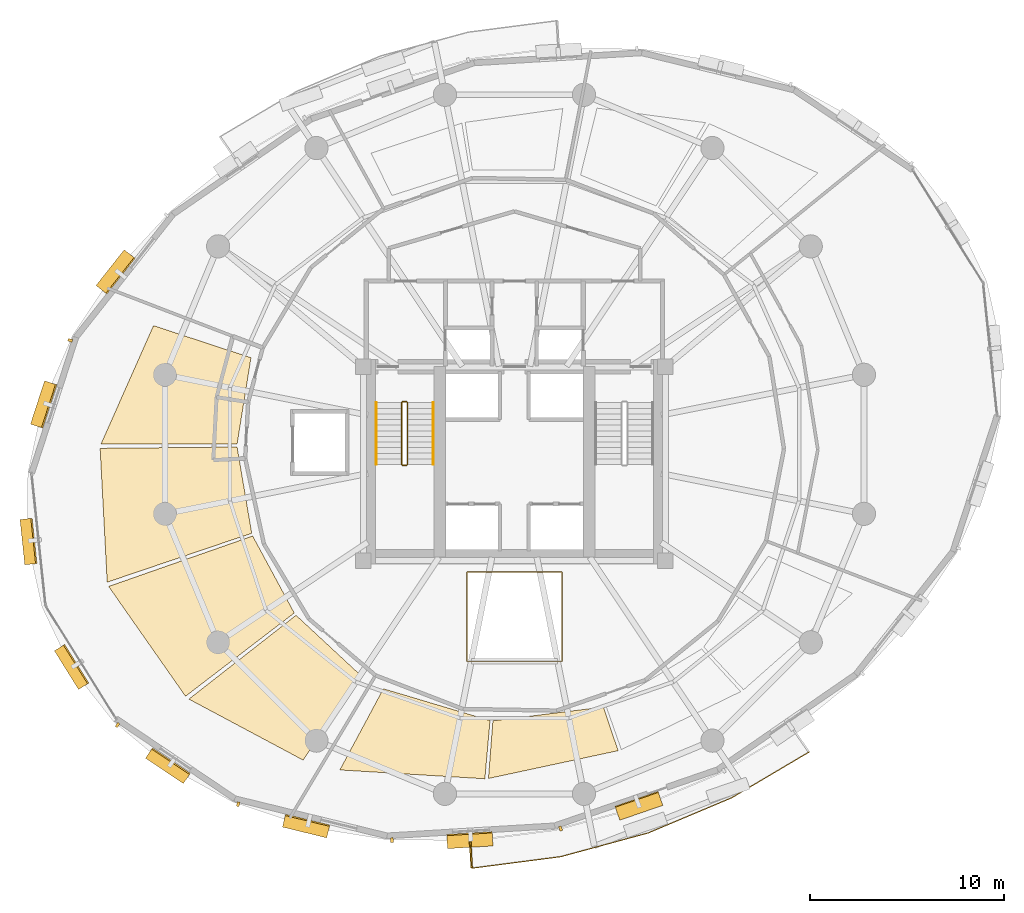
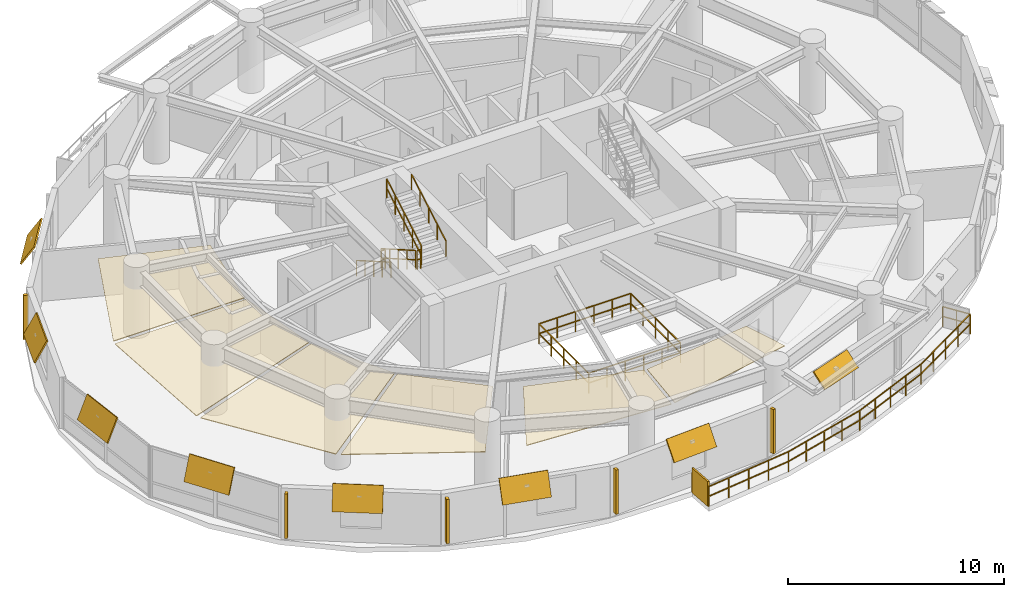
# One storey, part 13 of 15: 14 shading devices, 8 railings, 6 coverings.
"""IFC4 building model written with IfcOpenShell, lengths in metres."""

from ifc_helpers import new_model, si_unit, direction, frame, origin, origin_2d, place, context, subcontext, project, spatial, polyline, rectangle, outline, extrude, material, layer, layer_set, type_object, element, save


model = new_model("IFC4")

# Units and contexts
model_context = context("Model", 3, precision=1e-05, world=origin(), true_north=direction((0.0, 1.0)))
body_context = subcontext(model_context, "Body", "Model", "MODEL_VIEW")
ifc_project = project(units=[si_unit("LENGTHUNIT", "METRE"), si_unit("AREAUNIT", "SQUARE_METRE"), si_unit("VOLUMEUNIT", "CUBIC_METRE"), si_unit("PLANEANGLEUNIT", "RADIAN"), si_unit("MASSUNIT", "GRAM", prefix="KILO"), si_unit("THERMODYNAMICTEMPERATUREUNIT", "KELVIN"), si_unit("POWERUNIT", "WATT")], contexts=[model_context])

# Site, building, storey
site_placement = place(None, origin())
site = spatial("IfcSite", under=ifc_project, at=site_placement, CompositionType="ELEMENT")
building_placement = place(site_placement, origin())
building = spatial("IfcBuilding", under=site, at=building_placement, Name="Ocrelia Relay Tower", CompositionType="ELEMENT")
storey_placement = place(building_placement, frame((0.0, 0.0, 113.800048828125)))
storey = spatial("IfcBuildingStorey", under=building, at=storey_placement, Name="L26", CompositionType="ELEMENT", Elevation=113.800048828125)

# Coverings
ifc_material_1 = material(Name="Mineral-fiber acoustic ceiling tile", Category="gypsum")
ifc_layer_1 = layer(ifc_material_1, 0.0400390625, Name="Mineral-fiber acoustic ceiling tile")
ifc_layer_set_1 = layer_set([ifc_layer_1], Name="Mineral-fiber acoustic ceiling tile")
covering_type_1 = type_object("IfcCoveringType", Name="COV-CEIL-ACOUSTIC", PredefinedType="CEILING", material=ifc_layer_set_1)
covering_1_placement = place(storey_placement, frame((0.0, 0.0, 2.719970703125)))
element("IfcCovering", 1, at=covering_1_placement, inside=storey, type_object=covering_type_1, Name="L26 Peering Conference Room Suspended Ceiling 1", PredefinedType="CEILING", context=body_context, shape_type="SweptSolid", body=[
    extrude(outline(polyline([(20.396484375, 30.47265625), (15.362548828125, 32.127685546875), (12.655029296875, 26.0185546875), (19.679931640625, 26.012451171875), (20.396484375, 30.47265625)])), origin(), (0.0, 0.0, 1.0), 0.0400390625),
])
covering_2_placement = place(storey_placement, frame((0.0, 0.0, 2.719970703125)))
element("IfcCovering", 2, at=covering_2_placement, inside=storey, type_object=covering_type_1, Name="L26 Peering Conference Room Suspended Ceiling 2", PredefinedType="CEILING", context=body_context, shape_type="SweptSolid", body=[
    extrude(outline(polyline([(19.6806640625, 25.862548828125), (12.607666015625, 25.794677734375), (12.97216796875, 18.882568359375), (20.435791015625, 21.40869140625), (19.6806640625, 25.862548828125)])), origin(), (0.0, 0.0, 1.0), 0.0400390625),
])
covering_3_placement = place(storey_placement, frame((0.0, 0.0, 2.719970703125)))
element("IfcCovering", 3, at=covering_3_placement, inside=storey, type_object=covering_type_1, Name="L26 Peering Conference Room Suspended Ceiling 3", PredefinedType="CEILING", context=body_context, shape_type="SweptSolid", body=[
    extrude(outline(polyline([(20.48486328125, 21.26708984375), (13.0478515625, 18.66259765625), (17.01611328125, 12.991455078125), (22.631591796875, 17.29248046875), (20.48486328125, 21.26708984375)])), origin(), (0.0, 0.0, 1.0), 0.0400390625),
])
covering_4_placement = place(storey_placement, frame((0.0, 0.0, 2.719970703125)))
element("IfcCovering", 4, at=covering_4_placement, inside=storey, type_object=covering_type_1, Name="L26 Peering Conference Room Suspended Ceiling 4", PredefinedType="CEILING", context=body_context, shape_type="SweptSolid", body=[
    extrude(outline(polyline([(22.723388671875, 17.173828125), (17.19140625, 12.843994140625), (23.086181640625, 9.697021484375), (26.03369140625, 14.100341796875), (22.723388671875, 17.173828125)])), origin(), (0.0, 0.0, 1.0), 0.0400390625),
])
ifc_material_2 = material(Name="Cleanroom metal-pan acoustic ceiling", Category="aluminium")
ifc_layer_2 = layer(ifc_material_2, 0.0400390625, Name="Cleanroom metal-pan acoustic ceiling")
ifc_layer_set_2 = layer_set([ifc_layer_2], Name="Cleanroom metal-pan acoustic ceiling")
covering_type_2 = type_object("IfcCoveringType", Name="COV-CEIL-CLEAN", PredefinedType="CEILING", material=ifc_layer_set_2)
covering_5_placement = place(storey_placement, frame((0.0, 0.0, 2.719970703125)))
element("IfcCovering", 5, at=covering_5_placement, inside=storey, type_object=covering_type_2, Name="L26 Optical Switching Hall A Suspended Ceiling 1", PredefinedType="CEILING", context=body_context, shape_type="SweptSolid", body=[
    extrude(outline(polyline([(27.233154296875, 13.379638671875), (24.98486328125, 9.18701171875), (32.473876953125, 8.730712890625), (32.739501953125, 11.735595703125), (27.233154296875, 13.379638671875)])), origin(), (0.0, 0.0, 1.0), 0.0400390625),
])
covering_6_placement = place(storey_placement, frame((0.0, 0.0, 2.719970703125)))
element("IfcCovering", 6, at=covering_6_placement, inside=storey, type_object=covering_type_2, Name="L26 Optical Switching Hall A Suspended Ceiling 2", PredefinedType="CEILING", context=body_context, shape_type="SweptSolid", body=[
    extrude(outline(polyline([(32.888916015625, 11.72314453125), (32.6572265625, 8.74658203125), (39.354248046875, 10.181396484375), (38.59130859375, 12.435791015625), (32.888916015625, 11.72314453125)])), origin(), (0.0, 0.0, 1.0), 0.0400390625),
])

# Railings
ifc_material_3 = material(Name="Steel S355 balustrade", Category="steel")
railing_type_1 = type_object("IfcRailingType", Name="RL-EXT-GUARD-1150", PredefinedType="GUARDRAIL", material=ifc_material_3)
railing_1_placement = place(storey_placement, frame((48.41796875, 11.255859375, 0.0)))
element("IfcRailing", 7, at=railing_1_placement, inside=storey, type_object=railing_type_1, Name="L26 Loggia Balcony Guard Rail B2", PredefinedType="GUARDRAIL", context=body_context, shape_type="SweptSolid", body=[
    extrude(rectangle(XDim=0.048095703125, YDim=0.048095703125, at=origin_2d()), frame((0.0, 0.0, 1.1259765625), z_axis=(0.568690580372, -0.822551532608, 0.0), x_axis=(0.822551532608, 0.568690580372, 0.0)), (0.0, 0.0, 1.0), 1.3935546875),
    extrude(rectangle(XDim=0.048095703125, YDim=0.048095703125, at=origin_2d()), frame((0.0, 0.0, 0.574951171875), z_axis=(0.568690580372, -0.822551532608, 0.0), x_axis=(0.822551532608, 0.568690580372, 0.0)), (0.0, 0.0, 1.0), 1.3935546875),
    extrude(rectangle(XDim=0.048095703125, YDim=0.048095703125, at=origin_2d()), frame((0.79248046875, -1.146240234375, 1.1259765625), z_axis=(-0.860538017918, -0.509386218618, 0.0), x_axis=(0.509386218618, -0.860538017918, 0.0)), (0.0, 0.0, 1.0), 2.31591796875),
    extrude(rectangle(XDim=0.048095703125, YDim=0.048095703125, at=origin_2d()), frame((0.79248046875, -1.146240234375, 0.574951171875), z_axis=(-0.860538017918, -0.509386218618, 0.0), x_axis=(0.509386218618, -0.860538017918, 0.0)), (0.0, 0.0, 1.0), 2.31591796875),
    extrude(rectangle(XDim=0.048095703125, YDim=0.048095703125, at=origin_2d()), frame((-1.200439453125, -2.325927734375, 1.1259765625), z_axis=(-0.860584227023, -0.509308146606, 0.0), x_axis=(0.509308146606, -0.860584227023, 0.0)), (0.0, 0.0, 1.0), 2.315673828125),
    extrude(rectangle(XDim=0.048095703125, YDim=0.048095703125, at=origin_2d()), frame((-1.200439453125, -2.325927734375, 0.574951171875), z_axis=(-0.860584227023, -0.509308146606, 0.0), x_axis=(0.509308146606, -0.860584227023, 0.0)), (0.0, 0.0, 1.0), 2.315673828125),
    extrude(rectangle(XDim=0.048095703125, YDim=0.048095703125, at=origin_2d()), frame((-3.193359375, -3.50537109375, 1.1259765625), z_axis=(-0.921600037821, -0.388140915504, 0.0), x_axis=(0.388140915504, -0.921600037821, 0.0)), (0.0, 0.0, 1.0), 4.682373046875),
    extrude(rectangle(XDim=0.048095703125, YDim=0.048095703125, at=origin_2d()), frame((-3.193359375, -3.50537109375, 0.574951171875), z_axis=(-0.921600037821, -0.388140915504, 0.0), x_axis=(0.388140915504, -0.921600037821, 0.0)), (0.0, 0.0, 1.0), 4.682373046875),
    extrude(rectangle(XDim=0.048095703125, YDim=0.048095703125, at=origin_2d()), frame((-7.508544921875, -5.32275390625, 1.1259765625), z_axis=(-0.96520169738, -0.261506564687, 0.0), x_axis=(0.261506564687, -0.96520169738, 0.0)), (0.0, 0.0, 1.0), 4.681884765625),
    extrude(rectangle(XDim=0.048095703125, YDim=0.048095703125, at=origin_2d()), frame((-7.508544921875, -5.32275390625, 0.574951171875), z_axis=(-0.96520169738, -0.261506564687, 0.0), x_axis=(0.261506564687, -0.96520169738, 0.0)), (0.0, 0.0, 1.0), 4.681884765625),
    extrude(rectangle(XDim=0.048095703125, YDim=0.048095703125, at=origin_2d()), frame((-12.027587890625, -6.547119140625, 1.1259765625), z_axis=(-0.991721660373, -0.128406185004, 0.0), x_axis=(0.128406185004, -0.991721660373, 0.0)), (0.0, 0.0, 1.0), 2.31591796875),
    extrude(rectangle(XDim=0.048095703125, YDim=0.048095703125, at=origin_2d()), frame((-12.027587890625, -6.547119140625, 0.574951171875), z_axis=(-0.991721660373, -0.128406185004, 0.0), x_axis=(0.128406185004, -0.991721660373, 0.0)), (0.0, 0.0, 1.0), 2.31591796875),
    extrude(rectangle(XDim=0.048095703125, YDim=0.048095703125, at=origin_2d()), frame((-14.32421875, -6.844482421875, 1.1259765625), z_axis=(-0.991708230131, -0.128509868452, 0.0), x_axis=(0.128509868452, -0.991708230131, 0.0)), (0.0, 0.0, 1.0), 2.31591796875),
    extrude(rectangle(XDim=0.048095703125, YDim=0.048095703125, at=origin_2d()), frame((-14.32421875, -6.844482421875, 0.574951171875), z_axis=(-0.991708230131, -0.128509868452, 0.0), x_axis=(0.128509868452, -0.991708230131, 0.0)), (0.0, 0.0, 1.0), 2.31591796875),
    extrude(rectangle(XDim=0.048095703125, YDim=0.048095703125, at=origin_2d()), frame((-16.620849609375, -7.14208984375, 1.1259765625), z_axis=(-0.058342012253, 0.99829665411, 0.0), x_axis=(-0.99829665411, -0.058342012253, 0.0)), (0.0, 0.0, 1.0), 1.3935546875),
    extrude(rectangle(XDim=0.048095703125, YDim=0.048095703125, at=origin_2d()), frame((-16.620849609375, -7.14208984375, 0.574951171875), z_axis=(-0.058342012253, 0.99829665411, 0.0), x_axis=(-0.99829665411, -0.058342012253, 0.0)), (0.0, 0.0, 1.0), 1.3935546875),
    extrude(rectangle(XDim=0.0419921875, YDim=0.0419921875, at=origin_2d()), origin(), (0.0, 0.0, 1.0), 1.101806640625),
    extrude(rectangle(XDim=0.0419921875, YDim=0.0419921875, at=origin_2d()), frame((0.396240234375, -0.5732421875, 0.0)), (0.0, 0.0, 1.0), 1.101806640625),
    extrude(rectangle(XDim=0.0419921875, YDim=0.0419921875, at=origin_2d()), frame((0.79248046875, -1.146240234375, 0.0)), (0.0, 0.0, 1.0), 1.101806640625),
    extrude(rectangle(XDim=0.0419921875, YDim=0.0419921875, at=origin_2d()), frame((-0.2041015625, -1.736083984375, 0.0)), (0.0, 0.0, 1.0), 1.101806640625),
    extrude(rectangle(XDim=0.0419921875, YDim=0.0419921875, at=origin_2d()), frame((-1.200439453125, -2.325927734375, 0.0)), (0.0, 0.0, 1.0), 1.101806640625),
    extrude(rectangle(XDim=0.0419921875, YDim=0.0419921875, at=origin_2d()), frame((-2.19677734375, -2.91552734375, 0.0)), (0.0, 0.0, 1.0), 1.101806640625),
    extrude(rectangle(XDim=0.0419921875, YDim=0.0419921875, at=origin_2d()), frame((-3.193359375, -3.50537109375, 0.0)), (0.0, 0.0, 1.0), 1.101806640625),
    extrude(rectangle(XDim=0.0419921875, YDim=0.0419921875, at=origin_2d()), frame((-4.272216796875, -3.959716796875, 0.0)), (0.0, 0.0, 1.0), 1.101806640625),
    extrude(rectangle(XDim=0.0419921875, YDim=0.0419921875, at=origin_2d()), frame((-5.35107421875, -4.4140625, 0.0)), (0.0, 0.0, 1.0), 1.101806640625),
    extrude(rectangle(XDim=0.0419921875, YDim=0.0419921875, at=origin_2d()), frame((-6.4296875, -4.868408203125, 0.0)), (0.0, 0.0, 1.0), 1.101806640625),
    extrude(rectangle(XDim=0.0419921875, YDim=0.0419921875, at=origin_2d()), frame((-7.508544921875, -5.32275390625, 0.0)), (0.0, 0.0, 1.0), 1.101806640625),
    extrude(rectangle(XDim=0.0419921875, YDim=0.0419921875, at=origin_2d()), frame((-8.63818359375, -5.62890625, 0.0)), (0.0, 0.0, 1.0), 1.101806640625),
    extrude(rectangle(XDim=0.0419921875, YDim=0.0419921875, at=origin_2d()), frame((-9.76806640625, -5.93505859375, 0.0)), (0.0, 0.0, 1.0), 1.101806640625),
    extrude(rectangle(XDim=0.0419921875, YDim=0.0419921875, at=origin_2d()), frame((-10.89794921875, -6.240966796875, 0.0)), (0.0, 0.0, 1.0), 1.101806640625),
    extrude(rectangle(XDim=0.0419921875, YDim=0.0419921875, at=origin_2d()), frame((-12.027587890625, -6.547119140625, 0.0)), (0.0, 0.0, 1.0), 1.101806640625),
    extrude(rectangle(XDim=0.0419921875, YDim=0.0419921875, at=origin_2d()), frame((-13.17578125, -6.69580078125, 0.0)), (0.0, 0.0, 1.0), 1.101806640625),
    extrude(rectangle(XDim=0.0419921875, YDim=0.0419921875, at=origin_2d()), frame((-14.32421875, -6.844482421875, 0.0)), (0.0, 0.0, 1.0), 1.101806640625),
    extrude(rectangle(XDim=0.0419921875, YDim=0.0419921875, at=origin_2d()), frame((-15.47265625, -6.9931640625, 0.0)), (0.0, 0.0, 1.0), 1.101806640625),
    extrude(rectangle(XDim=0.0419921875, YDim=0.0419921875, at=origin_2d()), frame((-16.620849609375, -7.14208984375, 0.0)), (0.0, 0.0, 1.0), 1.101806640625),
    extrude(rectangle(XDim=0.0419921875, YDim=0.0419921875, at=origin_2d()), frame((-16.66162109375, -6.446533203125, 0.0)), (0.0, 0.0, 1.0), 1.101806640625),
    extrude(rectangle(XDim=0.0419921875, YDim=0.0419921875, at=origin_2d()), frame((-16.7021484375, -5.7509765625, 0.0)), (0.0, 0.0, 1.0), 1.101806640625),
])
ifc_material_4 = material(Name="Steel S355 atrium balustrade", Category="steel")
railing_type_2 = type_object("IfcRailingType", Name="RL-INT-GUARD-115", PredefinedType="GUARDRAIL", material=ifc_material_4)
railing_2_placement = place(storey_placement, frame((31.550048828125, 14.800048828125, 0.0)))
element("IfcRailing", 8, at=railing_2_placement, inside=storey, type_object=railing_type_2, Name="L26 Multi-Zone Interior Atrium Guard", PredefinedType="GUARDRAIL", context=body_context, shape_type="SweptSolid", body=[
    extrude(rectangle(XDim=0.048095703125, YDim=0.048095703125, at=origin_2d()), frame((0.0, 0.0, 1.1259765625), z_axis=(1.0, 0.0, 0.0), x_axis=(0.0, 1.0, 0.0)), (0.0, 0.0, 1.0), 4.89990234375),
    extrude(rectangle(XDim=0.048095703125, YDim=0.048095703125, at=origin_2d()), frame((0.0, 0.0, 0.574951171875), z_axis=(1.0, 0.0, 0.0), x_axis=(0.0, 1.0, 0.0)), (0.0, 0.0, 1.0), 4.89990234375),
    extrude(rectangle(XDim=0.048095703125, YDim=0.048095703125, at=origin_2d()), frame((4.89990234375, 0.0, 1.1259765625), z_axis=(0.0, 1.0, 0.0), x_axis=(-1.0, 0.0, 0.0)), (0.0, 0.0, 1.0), 4.599853515625),
    extrude(rectangle(XDim=0.048095703125, YDim=0.048095703125, at=origin_2d()), frame((4.89990234375, 0.0, 0.574951171875), z_axis=(0.0, 1.0, 0.0), x_axis=(-1.0, 0.0, 0.0)), (0.0, 0.0, 1.0), 4.599853515625),
    extrude(rectangle(XDim=0.048095703125, YDim=0.048095703125, at=origin_2d()), frame((4.89990234375, 4.599853515625, 1.1259765625), z_axis=(-1.0, 0.0, 0.0), x_axis=(0.0, -1.0, 0.0)), (0.0, 0.0, 1.0), 4.89990234375),
    extrude(rectangle(XDim=0.048095703125, YDim=0.048095703125, at=origin_2d()), frame((4.89990234375, 4.599853515625, 0.574951171875), z_axis=(-1.0, 0.0, 0.0), x_axis=(0.0, -1.0, 0.0)), (0.0, 0.0, 1.0), 4.89990234375),
    extrude(rectangle(XDim=0.048095703125, YDim=0.048095703125, at=origin_2d()), frame((0.0, 4.599853515625, 1.1259765625), z_axis=(0.0, -1.0, 0.0), x_axis=(1.0, 0.0, 0.0)), (0.0, 0.0, 1.0), 4.599853515625),
    extrude(rectangle(XDim=0.048095703125, YDim=0.048095703125, at=origin_2d()), frame((0.0, 4.599853515625, 0.574951171875), z_axis=(0.0, -1.0, 0.0), x_axis=(1.0, 0.0, 0.0)), (0.0, 0.0, 1.0), 4.599853515625),
    extrude(rectangle(XDim=0.0419921875, YDim=0.0419921875, at=origin_2d()), origin(), (0.0, 0.0, 1.0), 1.101806640625),
    extrude(rectangle(XDim=0.0419921875, YDim=0.0419921875, at=origin_2d()), frame((0.97998046875, 0.0, 0.0)), (0.0, 0.0, 1.0), 1.101806640625),
    extrude(rectangle(XDim=0.0419921875, YDim=0.0419921875, at=origin_2d()), frame((1.9599609375, 0.0, 0.0)), (0.0, 0.0, 1.0), 1.101806640625),
    extrude(rectangle(XDim=0.0419921875, YDim=0.0419921875, at=origin_2d()), frame((2.93994140625, 0.0, 0.0)), (0.0, 0.0, 1.0), 1.101806640625),
    extrude(rectangle(XDim=0.0419921875, YDim=0.0419921875, at=origin_2d()), frame((3.919921875, 0.0, 0.0)), (0.0, 0.0, 1.0), 1.101806640625),
    extrude(rectangle(XDim=0.0419921875, YDim=0.0419921875, at=origin_2d()), frame((4.89990234375, 0.0, 0.0)), (0.0, 0.0, 1.0), 1.101806640625),
    extrude(rectangle(XDim=0.0419921875, YDim=0.0419921875, at=origin_2d()), frame((4.89990234375, 1.14990234375, 0.0)), (0.0, 0.0, 1.0), 1.101806640625),
    extrude(rectangle(XDim=0.0419921875, YDim=0.0419921875, at=origin_2d()), frame((4.89990234375, 2.2998046875, 0.0)), (0.0, 0.0, 1.0), 1.101806640625),
    extrude(rectangle(XDim=0.0419921875, YDim=0.0419921875, at=origin_2d()), frame((4.89990234375, 3.449951171875, 0.0)), (0.0, 0.0, 1.0), 1.101806640625),
    extrude(rectangle(XDim=0.0419921875, YDim=0.0419921875, at=origin_2d()), frame((4.89990234375, 4.599853515625, 0.0)), (0.0, 0.0, 1.0), 1.101806640625),
    extrude(rectangle(XDim=0.0419921875, YDim=0.0419921875, at=origin_2d()), frame((3.919921875, 4.599853515625, 0.0)), (0.0, 0.0, 1.0), 1.101806640625),
    extrude(rectangle(XDim=0.0419921875, YDim=0.0419921875, at=origin_2d()), frame((2.93994140625, 4.599853515625, 0.0)), (0.0, 0.0, 1.0), 1.101806640625),
    extrude(rectangle(XDim=0.0419921875, YDim=0.0419921875, at=origin_2d()), frame((1.9599609375, 4.599853515625, 0.0)), (0.0, 0.0, 1.0), 1.101806640625),
    extrude(rectangle(XDim=0.0419921875, YDim=0.0419921875, at=origin_2d()), frame((0.97998046875, 4.599853515625, 0.0)), (0.0, 0.0, 1.0), 1.101806640625),
    extrude(rectangle(XDim=0.0419921875, YDim=0.0419921875, at=origin_2d()), frame((0.0, 4.599853515625, 0.0)), (0.0, 0.0, 1.0), 1.101806640625),
    extrude(rectangle(XDim=0.0419921875, YDim=0.0419921875, at=origin_2d()), frame((0.0, 3.449951171875, 0.0)), (0.0, 0.0, 1.0), 1.101806640625),
    extrude(rectangle(XDim=0.0419921875, YDim=0.0419921875, at=origin_2d()), frame((0.0, 2.2998046875, 0.0)), (0.0, 0.0, 1.0), 1.101806640625),
    extrude(rectangle(XDim=0.0419921875, YDim=0.0419921875, at=origin_2d()), frame((0.0, 1.14990234375, 0.0)), (0.0, 0.0, 1.0), 1.101806640625),
])
railing_type_3 = type_object("IfcRailingType", Name="RL-STAIR-GUARD", PredefinedType="GUARDRAIL", material=ifc_material_3)
railing_3_placement = place(storey_placement, frame((28.179931640625, 28.14990234375, 0.16650390625)))
element("IfcRailing", 9, at=railing_3_placement, inside=storey, type_object=railing_type_3, Name="L26 ST1 stair guard 1", PredefinedType="GUARDRAIL", context=body_context, shape_type="SweptSolid", body=[
    extrude(rectangle(XDim=0.048095703125, YDim=0.048095703125, at=origin_2d()), frame((0.0, 0.0, 1.076171875), z_axis=(0.0, -0.86699087805, 0.498324008431), x_axis=(1.0, 0.0, 0.0)), (0.0, 0.0, 1.0), 3.679443359375),
    extrude(rectangle(XDim=0.048095703125, YDim=0.048095703125, at=origin_2d()), frame((0.0, 0.0, 0.550048828125), z_axis=(0.0, -0.86699087805, 0.498324008431), x_axis=(1.0, 0.0, 0.0)), (0.0, 0.0, 1.0), 3.679443359375),
    extrude(rectangle(XDim=0.0419921875, YDim=0.0419921875, at=origin_2d()), origin(), (0.0, 0.0, 1.0), 1.052001953125),
    extrude(rectangle(XDim=0.0419921875, YDim=0.0419921875, at=origin_2d()), frame((0.0, -0.79736328125, 0.45849609375)), (0.0, 0.0, 1.0), 1.052001953125),
    extrude(rectangle(XDim=0.0419921875, YDim=0.0419921875, at=origin_2d()), frame((0.0, -1.594970703125, 0.916748046875)), (0.0, 0.0, 1.0), 1.052001953125),
    extrude(rectangle(XDim=0.0419921875, YDim=0.0419921875, at=origin_2d()), frame((0.0, -2.392578125, 1.375)), (0.0, 0.0, 1.0), 1.052001953125),
    extrude(rectangle(XDim=0.0419921875, YDim=0.0419921875, at=origin_2d()), frame((0.0, -3.18994140625, 1.83349609375)), (0.0, 0.0, 1.0), 1.052001953125),
])
railing_4_placement = place(storey_placement, frame((28.22998046875, 24.909912109375, 2.0)))
element("IfcRailing", 10, at=railing_4_placement, inside=storey, type_object=railing_type_3, Name="L26 ST1 stair guard 2", PredefinedType="GUARDRAIL", context=body_context, shape_type="SweptSolid", body=[
    extrude(rectangle(XDim=0.048095703125, YDim=0.048095703125, at=origin_2d()), frame((0.0, 0.0, 1.076171875), z_axis=(1.0, 0.0, 0.0), x_axis=(0.0, 1.0, 0.0)), (0.0, 0.0, 1.0), 0.199951171875),
    extrude(rectangle(XDim=0.048095703125, YDim=0.048095703125, at=origin_2d()), frame((0.0, 0.0, 0.550048828125), z_axis=(1.0, 0.0, 0.0), x_axis=(0.0, 1.0, 0.0)), (0.0, 0.0, 1.0), 0.199951171875),
    extrude(rectangle(XDim=0.0419921875, YDim=0.0419921875, at=origin_2d()), origin(), (0.0, 0.0, 1.0), 1.052001953125),
    extrude(rectangle(XDim=0.0419921875, YDim=0.0419921875, at=origin_2d()), frame((0.199951171875, 0.0, 0.0)), (0.0, 0.0, 1.0), 1.052001953125),
])
railing_5_placement = place(storey_placement, frame((28.47998046875, 24.9599609375, 2.16650390625)))
element("IfcRailing", 11, at=railing_5_placement, inside=storey, type_object=railing_type_3, Name="L26 ST1 stair guard 3", PredefinedType="GUARDRAIL", context=body_context, shape_type="SweptSolid", body=[
    extrude(rectangle(XDim=0.048095703125, YDim=0.048095703125, at=origin_2d()), frame((0.0, 0.0, 1.076171875), z_axis=(0.0, 0.86699087805, 0.498324008431), x_axis=(-1.0, 0.0, 0.0)), (0.0, 0.0, 1.0), 3.679443359375),
    extrude(rectangle(XDim=0.048095703125, YDim=0.048095703125, at=origin_2d()), frame((0.0, 0.0, 0.550048828125), z_axis=(0.0, 0.86699087805, 0.498324008431), x_axis=(-1.0, 0.0, 0.0)), (0.0, 0.0, 1.0), 3.679443359375),
    extrude(rectangle(XDim=0.0419921875, YDim=0.0419921875, at=origin_2d()), origin(), (0.0, 0.0, 1.0), 1.052001953125),
    extrude(rectangle(XDim=0.0419921875, YDim=0.0419921875, at=origin_2d()), frame((0.0, 0.79736328125, 0.45849609375)), (0.0, 0.0, 1.0), 1.052001953125),
    extrude(rectangle(XDim=0.0419921875, YDim=0.0419921875, at=origin_2d()), frame((0.0, 1.594970703125, 0.916748046875)), (0.0, 0.0, 1.0), 1.052001953125),
    extrude(rectangle(XDim=0.0419921875, YDim=0.0419921875, at=origin_2d()), frame((0.0, 2.392578125, 1.375)), (0.0, 0.0, 1.0), 1.052001953125),
    extrude(rectangle(XDim=0.0419921875, YDim=0.0419921875, at=origin_2d()), frame((0.0, 3.18994140625, 1.83349609375)), (0.0, 0.0, 1.0), 1.052001953125),
])
railing_6_placement = place(storey_placement, frame((28.22998046875, 28.199951171875, 0.0)))
element("IfcRailing", 12, at=railing_6_placement, inside=storey, type_object=railing_type_3, Name="L26 ST1 stair guard 4", PredefinedType="GUARDRAIL", context=body_context, shape_type="SweptSolid", body=[
    extrude(rectangle(XDim=0.048095703125, YDim=0.048095703125, at=origin_2d()), frame((0.0, 0.0, 1.076171875), z_axis=(1.0, 0.0, 0.0), x_axis=(0.0, 1.0, 0.0)), (0.0, 0.0, 1.0), 0.199951171875),
    extrude(rectangle(XDim=0.048095703125, YDim=0.048095703125, at=origin_2d()), frame((0.0, 0.0, 0.550048828125), z_axis=(1.0, 0.0, 0.0), x_axis=(0.0, 1.0, 0.0)), (0.0, 0.0, 1.0), 0.199951171875),
    extrude(rectangle(XDim=0.0419921875, YDim=0.0419921875, at=origin_2d()), origin(), (0.0, 0.0, 1.0), 1.052001953125),
    extrude(rectangle(XDim=0.0419921875, YDim=0.0419921875, at=origin_2d()), frame((0.199951171875, 0.0, 0.0)), (0.0, 0.0, 1.0), 1.052001953125),
])
ifc_material_5 = material(Name="Steel S355 tubular handrail", Category="steel")
railing_type_4 = type_object("IfcRailingType", Name="RL-STAIR-HAND", PredefinedType="HANDRAIL", material=ifc_material_5)
railing_7_placement = place(storey_placement, frame((26.860107421875, 28.14990234375, 0.16650390625)))
element("IfcRailing", 13, at=railing_7_placement, inside=storey, type_object=railing_type_4, Name="L26 ST1 stair handrail 1", PredefinedType="HANDRAIL", context=body_context, shape_type="SweptSolid", body=[
    extrude(rectangle(XDim=0.048095703125, YDim=0.048095703125, at=origin_2d()), frame((0.0, 0.0, 0.8759765625), z_axis=(0.0, -0.86699087805, 0.498324008431), x_axis=(1.0, 0.0, 0.0)), (0.0, 0.0, 1.0), 3.679443359375),
    extrude(rectangle(XDim=0.0419921875, YDim=0.0419921875, at=origin_2d()), origin(), (0.0, 0.0, 1.0), 0.851806640625),
    extrude(rectangle(XDim=0.0419921875, YDim=0.0419921875, at=origin_2d()), frame((0.0, -0.79736328125, 0.45849609375)), (0.0, 0.0, 1.0), 0.851806640625),
    extrude(rectangle(XDim=0.0419921875, YDim=0.0419921875, at=origin_2d()), frame((0.0, -1.594970703125, 0.916748046875)), (0.0, 0.0, 1.0), 0.851806640625),
    extrude(rectangle(XDim=0.0419921875, YDim=0.0419921875, at=origin_2d()), frame((0.0, -2.392578125, 1.375)), (0.0, 0.0, 1.0), 0.851806640625),
    extrude(rectangle(XDim=0.0419921875, YDim=0.0419921875, at=origin_2d()), frame((0.0, -3.18994140625, 1.83349609375)), (0.0, 0.0, 1.0), 0.851806640625),
])
railing_8_placement = place(storey_placement, frame((29.800048828125, 24.9599609375, 2.16650390625)))
element("IfcRailing", 14, at=railing_8_placement, inside=storey, type_object=railing_type_4, Name="L26 ST1 stair handrail 2", PredefinedType="HANDRAIL", context=body_context, shape_type="SweptSolid", body=[
    extrude(rectangle(XDim=0.048095703125, YDim=0.048095703125, at=origin_2d()), frame((0.0, 0.0, 0.8759765625), z_axis=(0.0, 0.86699087805, 0.498324008431), x_axis=(-1.0, 0.0, 0.0)), (0.0, 0.0, 1.0), 3.679443359375),
    extrude(rectangle(XDim=0.0419921875, YDim=0.0419921875, at=origin_2d()), origin(), (0.0, 0.0, 1.0), 0.851806640625),
    extrude(rectangle(XDim=0.0419921875, YDim=0.0419921875, at=origin_2d()), frame((0.0, 0.79736328125, 0.45849609375)), (0.0, 0.0, 1.0), 0.851806640625),
    extrude(rectangle(XDim=0.0419921875, YDim=0.0419921875, at=origin_2d()), frame((0.0, 1.594970703125, 0.916748046875)), (0.0, 0.0, 1.0), 0.851806640625),
    extrude(rectangle(XDim=0.0419921875, YDim=0.0419921875, at=origin_2d()), frame((0.0, 2.392578125, 1.375)), (0.0, 0.0, 1.0), 0.851806640625),
    extrude(rectangle(XDim=0.0419921875, YDim=0.0419921875, at=origin_2d()), frame((0.0, 3.18994140625, 1.83349609375)), (0.0, 0.0, 1.0), 0.851806640625),
])

# Shading devices
ifc_material_6 = material(Name="Perforated oxide terracotta solar screen", Category="masonry")
ifc_layer_3 = layer(ifc_material_6, 0.090087890625, Name="Perforated oxide terracotta solar screen")
ifc_layer_set_3 = layer_set([ifc_layer_3], Name="Perforated oxide terracotta solar screen")
shading_device_type_1 = type_object("IfcShadingDeviceType", Name="SH-BALC-SCREEN", PredefinedType="USERDEFINED", material=ifc_layer_set_3)
shading_device_1_placement = place(storey_placement, frame((31.756591796875, 4.809326171875, 0.0), z_axis=(0.0, 0.0, 1.0), x_axis=(0.058343405471, -0.998296572687, 0.0)))
element("IfcShadingDevice", 15, at=shading_device_1_placement, inside=storey, type_object=shading_device_type_1, Name="L26 Balcony Perforated Terracotta Screen B2-1", ObjectType="SCREEN", PredefinedType="USERDEFINED", context=body_context, shape_type="SweptSolid", body=[
    extrude(rectangle(XDim=1.340087890625, YDim=0.090087890625, at=origin_2d()), origin(), (0.0, 0.0, 1.0), 1.39990234375),
])
ifc_material_7 = material(Name="Extruded oxide terracotta vertical baguette", Category="masonry")
shading_device_type_2 = type_object("IfcShadingDeviceType", Name="SH-TERR-BAGUETTE", PredefinedType="USERDEFINED", material=ifc_material_7)
for number, where, z_axis, x_axis, name in (
    (16, (11.06298828125, 31.37060546875, 0.199951171875), (0.0, 0.0, 1.0), (-0.309348521649, -0.950948732663, 0.0), "L26 Oxide Terracotta Vertical Baguette 08"),
    (17, (13.507568359375, 11.5048828125, 0.199951171875), (0.0, 0.0, 1.0), (0.829226580971, -0.558912584767, 0.0), "L26 Oxide Terracotta Vertical Baguette 11"),
    (18, (19.738037109375, 7.422607421875, 0.199951171875), (0.0, 0.0, 1.0), (0.971474750883, -0.237143012539, 0.0), "L26 Oxide Terracotta Vertical Baguette 12"),
    (19, (27.677001953125, 5.568115234375, 0.199951171875), (0.0, 0.0, 1.0), (0.998209970395, 0.059806814021, 0.0), "L26 Oxide Terracotta Vertical Baguette 13"),
    (20, (36.3828125, 6.162841796875, 0.199951171875), (0.0, 0.0, 1.0), (0.945517039976, 0.325572614197, 0.0), "L26 Oxide Terracotta Vertical Baguette 14"),
):
    element("IfcShadingDevice", number, at=place(storey_placement, frame(where, z_axis=z_axis, x_axis=x_axis)), inside=storey, type_object=shading_device_type_2, Name=name, ObjectType="BAGUETTE", PredefinedType="USERDEFINED", context=body_context, shape_type="SweptSolid", body=[
        extrude(rectangle(XDim=0.139892578125, YDim=0.239990234375, at=origin_2d()), origin(), (0.0, 0.0, 1.0), 2.5),
    ])
ifc_material_8 = material(Name="Extruded oxide terracotta fin", Category="masonry")
ifc_layer_4 = layer(ifc_material_8, 0.080078125, Name="Extruded oxide terracotta fin")
ifc_layer_set_4 = layer_set([ifc_layer_4], Name="Extruded oxide terracotta fin")
shading_device_type_3 = type_object("IfcShadingDeviceType", Name="SH-VISOR-FIN-DEEP", PredefinedType="USERDEFINED", material=ifc_layer_set_4)
shading_device_2_placement = place(storey_placement, frame((13.430908203125, 34.88232421875, 2.71875), z_axis=(-0.665264409574, 0.525040135403, 0.5308070474), x_axis=(-0.61952171944, -0.78497951511, 0.0)))
element("IfcShadingDevice", 21, at=shading_device_2_placement, inside=storey, type_object=shading_device_type_3, Name="L26 Canted Terracotta Sun-Visor Fin 07", ObjectType="FIN", PredefinedType="USERDEFINED", context=body_context, shape_type="SweptSolid", body=[
    extrude(rectangle(XDim=2.35009765625, YDim=1.216064453125, at=origin_2d()), origin(), (0.0, 0.0, 1.0), 0.080078125),
])
shading_device_3_placement = place(storey_placement, frame((9.7265625, 28.05029296875, 2.7216796875), z_axis=(-0.84594105225, 0.275188982252, 0.456787434334), x_axis=(-0.309348521649, -0.950948732663, 0.0)))
element("IfcShadingDevice", 22, at=shading_device_3_placement, inside=storey, type_object=shading_device_type_3, Name="L26 Canted Terracotta Sun-Visor Fin 08", ObjectType="FIN", PredefinedType="USERDEFINED", context=body_context, shape_type="SweptSolid", body=[
    extrude(rectangle(XDim=2.35009765625, YDim=1.297119140625, at=origin_2d()), origin(), (0.0, 0.0, 1.0), 0.080078125),
])
shading_device_4_placement = place(storey_placement, frame((8.94482421875, 20.985107421875, 2.723388671875), z_axis=(-0.903625597308, -0.095461221927, 0.41754991917), x_axis=(0.105057836614, -0.994466113533, 0.0)))
element("IfcShadingDevice", 23, at=shading_device_4_placement, inside=storey, type_object=shading_device_type_3, Name="L26 Canted Terracotta Sun-Visor Fin 09", ObjectType="FIN", PredefinedType="USERDEFINED", context=body_context, shape_type="SweptSolid", body=[
    extrude(rectangle(XDim=2.35009765625, YDim=1.339111328125, at=origin_2d()), origin(), (0.0, 0.0, 1.0), 0.080078125),
])
shading_device_5_placement = place(storey_placement, frame((11.166259765625, 14.525390625, 2.7236328125), z_axis=(-0.77492751412, -0.483655794361, 0.406896080641), x_axis=(0.529468330311, -0.8483297043, 0.0)))
element("IfcShadingDevice", 24, at=shading_device_5_placement, inside=storey, type_object=shading_device_type_3, Name="L26 Canted Terracotta Sun-Visor Fin 10", ObjectType="FIN", PredefinedType="USERDEFINED", context=body_context, shape_type="SweptSolid", body=[
    extrude(rectangle(XDim=2.35009765625, YDim=1.35009765625, at=origin_2d()), origin(), (0.0, 0.0, 1.0), 0.080078125),
])
shading_device_6_placement = place(storey_placement, frame((16.1279296875, 9.434326171875, 2.722900390625), z_axis=(-0.505926705043, -0.750614466875, 0.424989518979), x_axis=(0.829226580971, -0.558912584767, 0.0)))
element("IfcShadingDevice", 25, at=shading_device_6_placement, inside=storey, type_object=shading_device_type_3, Name="L26 Canted Terracotta Sun-Visor Fin 11", ObjectType="FIN", PredefinedType="USERDEFINED", context=body_context, shape_type="SweptSolid", body=[
    extrude(rectangle(XDim=2.35009765625, YDim=1.3310546875, at=origin_2d()), origin(), (0.0, 0.0, 1.0), 0.080078125),
])
shading_device_7_placement = place(storey_placement, frame((23.25244140625, 6.324462890625, 2.720703125), z_axis=(-0.208048823219, -0.852288146903, 0.479917286421), x_axis=(0.971474750883, -0.237143012539, 0.0)))
element("IfcShadingDevice", 26, at=shading_device_7_placement, inside=storey, type_object=shading_device_type_3, Name="L26 Canted Terracotta Sun-Visor Fin 12", ObjectType="FIN", PredefinedType="USERDEFINED", context=body_context, shape_type="SweptSolid", body=[
    extrude(rectangle(XDim=2.35009765625, YDim=1.27197265625, at=origin_2d()), origin(), (0.0, 0.0, 1.0), 0.080078125),
])
shading_device_8_placement = place(storey_placement, frame((31.696044921875, 5.59375, 2.716796875), z_axis=(0.048695716184, -0.812759385462, 0.580560856904), x_axis=(0.998209970395, 0.059806814021, 0.0)))
element("IfcShadingDevice", 27, at=shading_device_8_placement, inside=storey, type_object=shading_device_type_3, Name="L26 Canted Terracotta Sun-Visor Fin 13", ObjectType="FIN", PredefinedType="USERDEFINED", context=body_context, shape_type="SweptSolid", body=[
    extrude(rectangle(XDim=2.35009765625, YDim=1.158935546875, at=origin_2d()), origin(), (0.0, 0.0, 1.0), 0.080078125),
])
ifc_layer_5 = layer(ifc_material_8, 0.080078125, Name="Extruded oxide terracotta fin")
ifc_layer_set_5 = layer_set([ifc_layer_5], Name="Extruded oxide terracotta fin")
shading_device_type_4 = type_object("IfcShadingDeviceType", Name="SH-VISOR-FIN-MED", PredefinedType="USERDEFINED", material=ifc_layer_set_5)
shading_device_9_placement = place(storey_placement, frame((40.417724609375, 7.362060546875, 2.71142578125), z_axis=(0.228237387148, -0.662839346117, 0.713128106547), x_axis=(0.945517039976, 0.325572614197, 0.0)))
element("IfcShadingDevice", 28, at=shading_device_9_placement, inside=storey, type_object=shading_device_type_4, Name="L26 Canted Terracotta Sun-Visor Fin 14", ObjectType="FIN", PredefinedType="USERDEFINED", context=body_context, shape_type="SweptSolid", body=[
    extrude(rectangle(XDim=2.35009765625, YDim=0.991943359375, at=origin_2d()), origin(), (0.0, 0.0, 1.0), 0.080078125),
])

save(model, "model.ifc")
